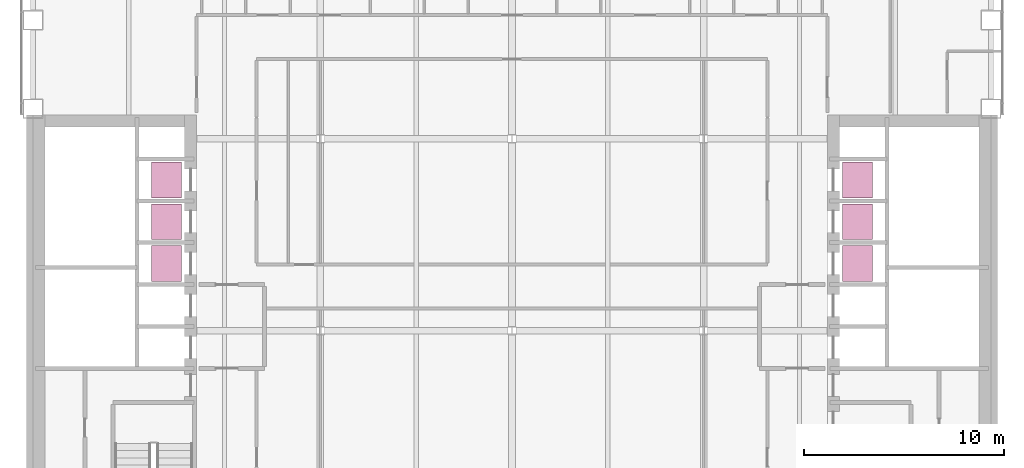
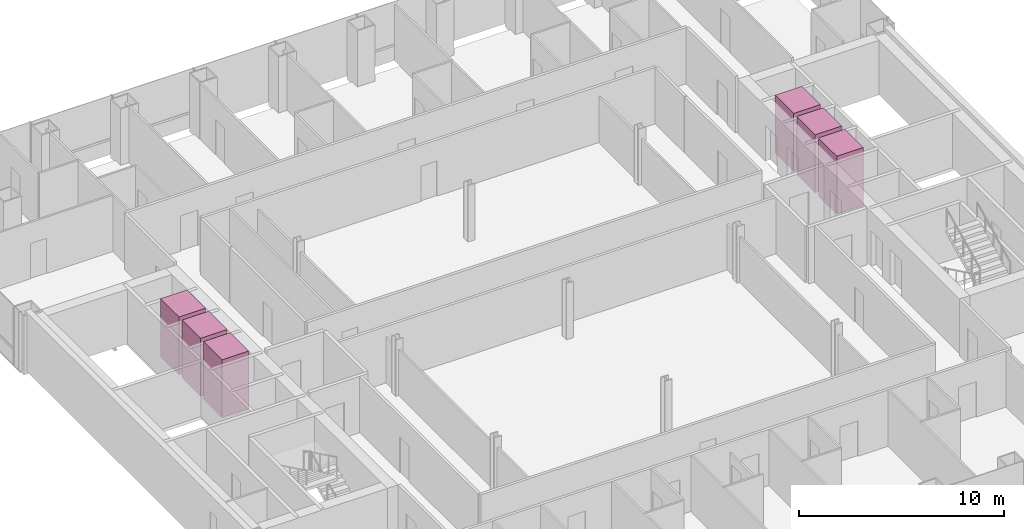
# One storey, part 21 of 21: 6 transport elements.
"""IFC4 building model written with IfcOpenShell, lengths in metres."""

from ifc_helpers import new_model, si_unit, direction, frame, origin, origin_2d, place, context, subcontext, project, spatial, rectangle, extrude, material, type_object, element, save


model = new_model("IFC4")

# Units and contexts
model_context = context("Model", 3, precision=1e-05, world=origin(), true_north=direction((0.0, 1.0)))
body_context = subcontext(model_context, "Body", "Model", "MODEL_VIEW")
ifc_project = project(units=[si_unit("LENGTHUNIT", "METRE"), si_unit("AREAUNIT", "SQUARE_METRE"), si_unit("VOLUMEUNIT", "CUBIC_METRE"), si_unit("PLANEANGLEUNIT", "RADIAN"), si_unit("MASSUNIT", "GRAM", prefix="KILO")], contexts=[model_context])

# Site, building, storey
site_placement = place(None, origin())
site = spatial("IfcSite", under=ifc_project, at=site_placement, CompositionType="ELEMENT")
building_placement = place(site_placement, origin())
building = spatial("IfcBuilding", under=site, at=building_placement, Name="Cobrizo Arcos Hotel Tower", CompositionType="ELEMENT")
storey_placement = place(building_placement, frame((0.0, 0.0, 42.5)))
storey = spatial("IfcBuildingStorey", under=building, at=storey_placement, Name="L08", CompositionType="ELEMENT", Elevation=42.5)

# Transport elements
ifc_material = material(Name="Stainless steel car", Category="steel")
transport_element_type = type_object("IfcTransportElementType", Name="Lift car Low 1.8x1.5", PredefinedType="ELEVATOR", material=ifc_material)
for number, where, z_axis, x_axis, name in (
    (1, (-17.300048828125, 3.35009765625, 0.0), (0.0, 0.0, 1.0), (1.0, 0.0, 0.0), "Low-rise passenger lift W1"),
    (2, (-17.300048828125, 5.449951171875, 0.0), (0.0, 0.0, 1.0), (1.0, 0.0, 0.0), "Low-rise passenger lift W2"),
    (3, (-17.300048828125, 7.550048828125, 0.0), (0.0, 0.0, 1.0), (1.0, 0.0, 0.0), "Low-rise passenger lift W3"),
    (4, (17.300048828125, 3.35009765625, 0.0), (0.0, 0.0, 1.0), (1.0, 0.0, 0.0), "Low-rise passenger lift E1"),
    (5, (17.300048828125, 5.449951171875, 0.0), (0.0, 0.0, 1.0), (1.0, 0.0, 0.0), "Low-rise passenger lift E2"),
    (6, (17.300048828125, 7.550048828125, 0.0), (0.0, 0.0, 1.0), (1.0, 0.0, 0.0), "Low-rise passenger lift E3"),
):
    element("IfcTransportElement", number, at=place(storey_placement, frame(where, z_axis=z_axis, x_axis=x_axis)), inside=storey, type_object=transport_element_type, Name=name, PredefinedType="ELEVATOR", context=body_context, shape_type="SweptSolid", body=[
        extrude(rectangle(XDim=1.5, YDim=1.800048828125, at=origin_2d()), origin(), (0.0, 0.0, 1.0), 3.449951171875),
    ])

save(model, "model.ifc")
